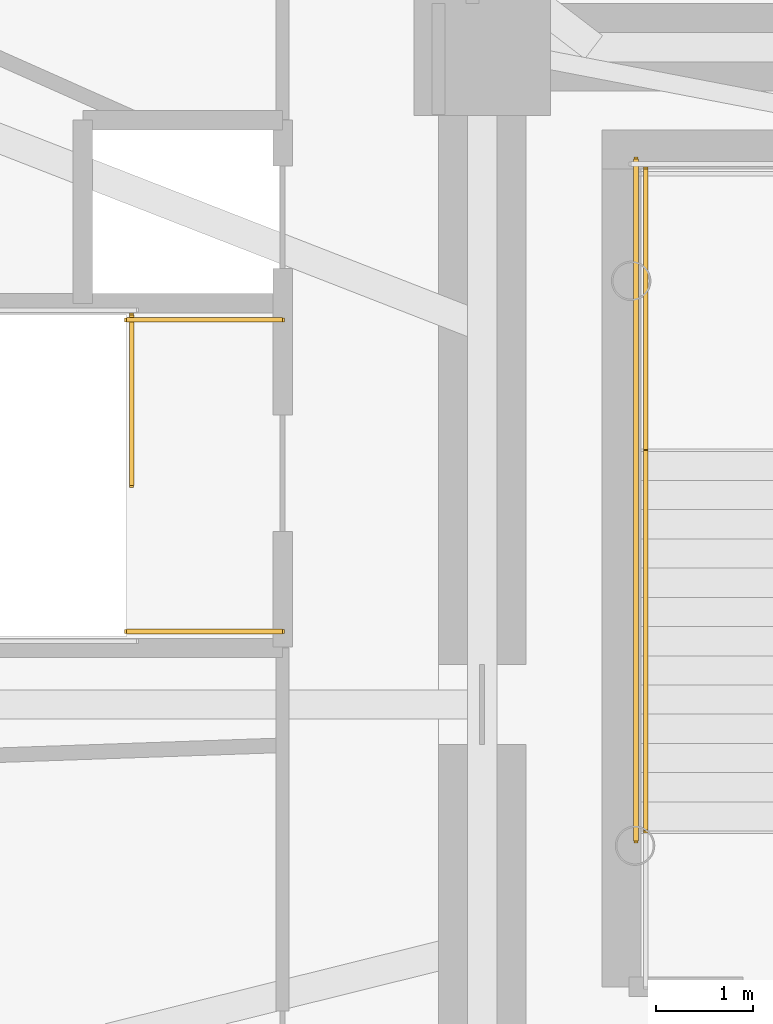
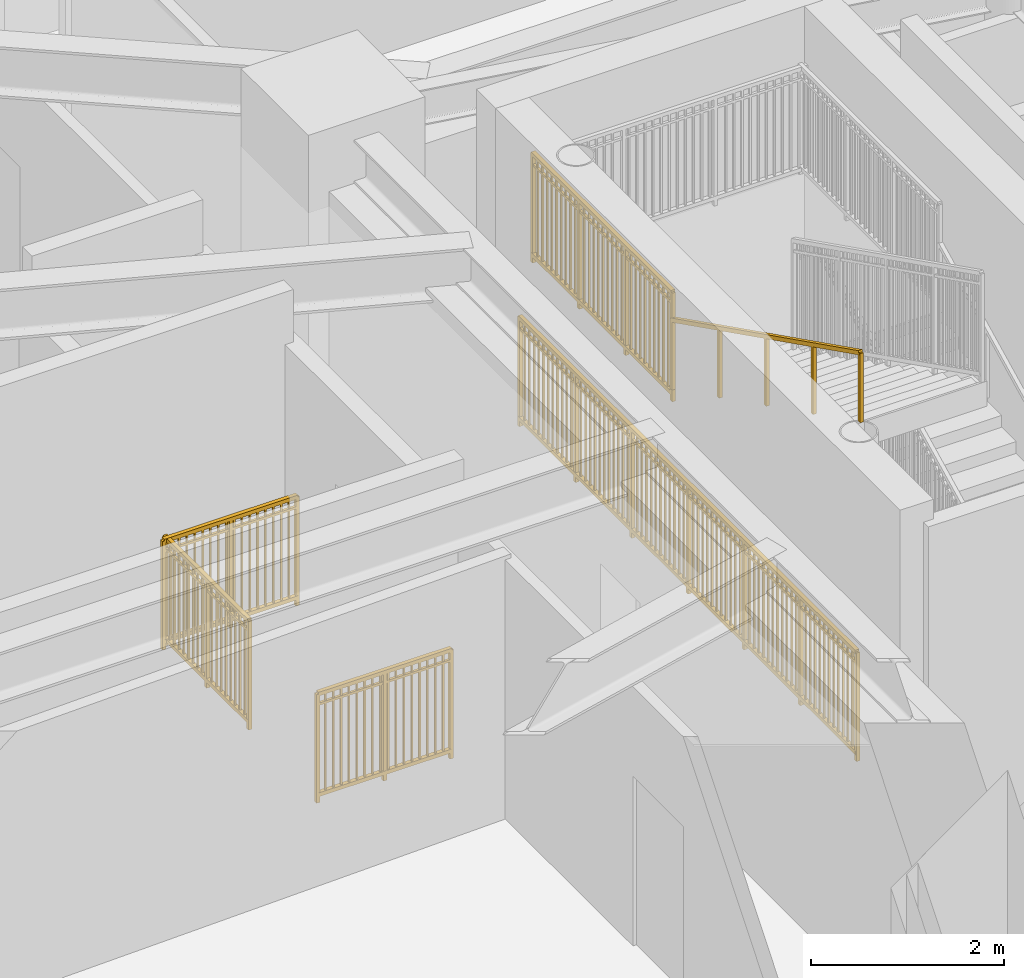
# One storey, part 22 of 28: 6 railings.
"""IFC4 building model written with IfcOpenShell, lengths in metres."""

from ifc_helpers import new_model, si_unit, direction, frame, origin, origin_2d, place, context, subcontext, project, spatial, rectangle, extrude, source, transform, mapped, material, type_object, element, save


model = new_model("IFC4")

# Units and contexts
model_context = context("Model", 3, precision=1e-05, world=origin(), true_north=direction((0.0, 1.0)))
body_context = subcontext(model_context, "Body", "Model", "MODEL_VIEW")
ifc_project = project(units=[si_unit("LENGTHUNIT", "METRE"), si_unit("AREAUNIT", "SQUARE_METRE"), si_unit("VOLUMEUNIT", "CUBIC_METRE"), si_unit("PLANEANGLEUNIT", "RADIAN"), si_unit("MASSUNIT", "GRAM", prefix="KILO")], contexts=[model_context])

# Site, building, storey
site_placement = place(None, origin())
site = spatial("IfcSite", under=ifc_project, at=site_placement, CompositionType="ELEMENT")
building_placement = place(site_placement, origin())
building = spatial("IfcBuilding", under=site, at=building_placement, Name="Linh Dai School and Residence Tower", CompositionType="ELEMENT")
storey_placement = place(building_placement, frame((0.0, 0.0, 57.60009765625)))
storey = spatial("IfcBuildingStorey", under=building, at=storey_placement, Name="L13", CompositionType="ELEMENT", Elevation=57.60009765625)

# Railings
ifc_material_1 = material(Name="Structural Steel S355JR", Category="steel")
railing_type_1 = type_object("IfcRailingType", Name="RL-ST-GUARD-1400", PredefinedType="GUARDRAIL", material=ifc_material_1)
shared_shape_1 = source(origin(), body_context, "Body", "SweptSolid", [
    extrude(rectangle(XDim=0.048095703125, YDim=0.048095703125, at=origin_2d()), frame((0.0, 0.0, 1.3759765625), z_axis=(0.0, 1.0, 0.0), x_axis=(-1.0, 0.0, 0.0)), (0.0, 0.0, 1.0), 7.0),
    extrude(rectangle(XDim=0.048095703125, YDim=0.048095703125, at=origin_2d()), frame((0.0, 0.0, 0.10009765625), z_axis=(0.0, 1.0, 0.0), x_axis=(-1.0, 0.0, 0.0)), (0.0, 0.0, 1.0), 7.0),
    extrude(rectangle(XDim=0.030029296875, YDim=0.030029296875, at=origin_2d()), frame((0.0, 0.0, 1.239990234375), z_axis=(0.0, 1.0, 0.0), x_axis=(-1.0, 0.0, 0.0)), (0.0, 0.0, 1.0), 7.0),
    extrude(rectangle(XDim=0.02001953125, YDim=0.02001953125, at=origin_2d()), frame((0.0, 0.09716796875, 0.10009765625)), (0.0, 0.0, 1.0), 1.251708984375),
    extrude(rectangle(XDim=0.02001953125, YDim=0.02001953125, at=origin_2d()), frame((0.0, 0.1943359375, 0.10009765625)), (0.0, 0.0, 1.0), 1.251708984375),
    extrude(rectangle(XDim=0.02001953125, YDim=0.02001953125, at=origin_2d()), frame((0.0, 0.291748046875, 0.10009765625)), (0.0, 0.0, 1.0), 1.251708984375),
    extrude(rectangle(XDim=0.02001953125, YDim=0.02001953125, at=origin_2d()), frame((0.0, 0.388916015625, 0.10009765625)), (0.0, 0.0, 1.0), 1.251708984375),
    extrude(rectangle(XDim=0.02001953125, YDim=0.02001953125, at=origin_2d()), frame((0.0, 0.486083984375, 0.10009765625)), (0.0, 0.0, 1.0), 1.251708984375),
    extrude(rectangle(XDim=0.02001953125, YDim=0.02001953125, at=origin_2d()), frame((0.0, 0.583251953125, 0.10009765625)), (0.0, 0.0, 1.0), 1.251708984375),
    extrude(rectangle(XDim=0.02001953125, YDim=0.02001953125, at=origin_2d()), frame((0.0, 0.6806640625, 0.10009765625)), (0.0, 0.0, 1.0), 1.251708984375),
    extrude(rectangle(XDim=0.02001953125, YDim=0.02001953125, at=origin_2d()), frame((0.0, 0.77783203125, 0.10009765625)), (0.0, 0.0, 1.0), 1.251708984375),
    extrude(rectangle(XDim=0.02001953125, YDim=0.02001953125, at=origin_2d()), frame((0.0, 0.875, 0.10009765625)), (0.0, 0.0, 1.0), 1.251708984375),
    extrude(rectangle(XDim=0.02001953125, YDim=0.02001953125, at=origin_2d()), frame((0.0, 0.97216796875, 0.10009765625)), (0.0, 0.0, 1.0), 1.251708984375),
    extrude(rectangle(XDim=0.02001953125, YDim=0.02001953125, at=origin_2d()), frame((0.0, 1.0693359375, 0.10009765625)), (0.0, 0.0, 1.0), 1.251708984375),
    extrude(rectangle(XDim=0.02001953125, YDim=0.02001953125, at=origin_2d()), frame((0.0, 1.263916015625, 0.10009765625)), (0.0, 0.0, 1.0), 1.251708984375),
    extrude(rectangle(XDim=0.02001953125, YDim=0.02001953125, at=origin_2d()), frame((0.0, 1.361083984375, 0.10009765625)), (0.0, 0.0, 1.0), 1.251708984375),
    extrude(rectangle(XDim=0.02001953125, YDim=0.02001953125, at=origin_2d()), frame((0.0, 1.458251953125, 0.10009765625)), (0.0, 0.0, 1.0), 1.251708984375),
    extrude(rectangle(XDim=0.02001953125, YDim=0.02001953125, at=origin_2d()), frame((0.0, 1.5556640625, 0.10009765625)), (0.0, 0.0, 1.0), 1.251708984375),
    extrude(rectangle(XDim=0.02001953125, YDim=0.02001953125, at=origin_2d()), frame((0.0, 1.65283203125, 0.10009765625)), (0.0, 0.0, 1.0), 1.251708984375),
    extrude(rectangle(XDim=0.02001953125, YDim=0.02001953125, at=origin_2d()), frame((0.0, 1.75, 0.10009765625)), (0.0, 0.0, 1.0), 1.251708984375),
    extrude(rectangle(XDim=0.02001953125, YDim=0.02001953125, at=origin_2d()), frame((0.0, 1.84716796875, 0.10009765625)), (0.0, 0.0, 1.0), 1.251708984375),
    extrude(rectangle(XDim=0.02001953125, YDim=0.02001953125, at=origin_2d()), frame((0.0, 1.9443359375, 0.10009765625)), (0.0, 0.0, 1.0), 1.251708984375),
    extrude(rectangle(XDim=0.02001953125, YDim=0.02001953125, at=origin_2d()), frame((0.0, 2.041748046875, 0.10009765625)), (0.0, 0.0, 1.0), 1.251708984375),
    extrude(rectangle(XDim=0.02001953125, YDim=0.02001953125, at=origin_2d()), frame((0.0, 2.138916015625, 0.10009765625)), (0.0, 0.0, 1.0), 1.251708984375),
    extrude(rectangle(XDim=0.02001953125, YDim=0.02001953125, at=origin_2d()), frame((0.0, 2.236083984375, 0.10009765625)), (0.0, 0.0, 1.0), 1.251708984375),
    extrude(rectangle(XDim=0.02001953125, YDim=0.02001953125, at=origin_2d()), frame((0.0, 2.4306640625, 0.10009765625)), (0.0, 0.0, 1.0), 1.251708984375),
    extrude(rectangle(XDim=0.02001953125, YDim=0.02001953125, at=origin_2d()), frame((0.0, 2.52783203125, 0.10009765625)), (0.0, 0.0, 1.0), 1.251708984375),
    extrude(rectangle(XDim=0.02001953125, YDim=0.02001953125, at=origin_2d()), frame((0.0, 2.625, 0.10009765625)), (0.0, 0.0, 1.0), 1.251708984375),
    extrude(rectangle(XDim=0.02001953125, YDim=0.02001953125, at=origin_2d()), frame((0.0, 2.72216796875, 0.10009765625)), (0.0, 0.0, 1.0), 1.251708984375),
    extrude(rectangle(XDim=0.02001953125, YDim=0.02001953125, at=origin_2d()), frame((0.0, 2.8193359375, 0.10009765625)), (0.0, 0.0, 1.0), 1.251708984375),
    extrude(rectangle(XDim=0.02001953125, YDim=0.02001953125, at=origin_2d()), frame((0.0, 2.916748046875, 0.10009765625)), (0.0, 0.0, 1.0), 1.251708984375),
    extrude(rectangle(XDim=0.02001953125, YDim=0.02001953125, at=origin_2d()), frame((0.0, 3.013916015625, 0.10009765625)), (0.0, 0.0, 1.0), 1.251708984375),
    extrude(rectangle(XDim=0.02001953125, YDim=0.02001953125, at=origin_2d()), frame((0.0, 3.111083984375, 0.10009765625)), (0.0, 0.0, 1.0), 1.251708984375),
    extrude(rectangle(XDim=0.02001953125, YDim=0.02001953125, at=origin_2d()), frame((0.0, 3.208251953125, 0.10009765625)), (0.0, 0.0, 1.0), 1.251708984375),
    extrude(rectangle(XDim=0.02001953125, YDim=0.02001953125, at=origin_2d()), frame((0.0, 3.3056640625, 0.10009765625)), (0.0, 0.0, 1.0), 1.251708984375),
    extrude(rectangle(XDim=0.02001953125, YDim=0.02001953125, at=origin_2d()), frame((0.0, 3.40283203125, 0.10009765625)), (0.0, 0.0, 1.0), 1.251708984375),
    extrude(rectangle(XDim=0.02001953125, YDim=0.02001953125, at=origin_2d()), frame((0.0, 3.59716796875, 0.10009765625)), (0.0, 0.0, 1.0), 1.251708984375),
    extrude(rectangle(XDim=0.02001953125, YDim=0.02001953125, at=origin_2d()), frame((0.0, 3.6943359375, 0.10009765625)), (0.0, 0.0, 1.0), 1.251708984375),
    extrude(rectangle(XDim=0.02001953125, YDim=0.02001953125, at=origin_2d()), frame((0.0, 3.791748046875, 0.10009765625)), (0.0, 0.0, 1.0), 1.251708984375),
    extrude(rectangle(XDim=0.02001953125, YDim=0.02001953125, at=origin_2d()), frame((0.0, 3.888916015625, 0.10009765625)), (0.0, 0.0, 1.0), 1.251708984375),
    extrude(rectangle(XDim=0.02001953125, YDim=0.02001953125, at=origin_2d()), frame((0.0, 3.986083984375, 0.10009765625)), (0.0, 0.0, 1.0), 1.251708984375),
    extrude(rectangle(XDim=0.02001953125, YDim=0.02001953125, at=origin_2d()), frame((0.0, 4.083251953125, 0.10009765625)), (0.0, 0.0, 1.0), 1.251708984375),
    extrude(rectangle(XDim=0.02001953125, YDim=0.02001953125, at=origin_2d()), frame((0.0, 4.1806640625, 0.10009765625)), (0.0, 0.0, 1.0), 1.251708984375),
    extrude(rectangle(XDim=0.02001953125, YDim=0.02001953125, at=origin_2d()), frame((0.0, 4.27783203125, 0.10009765625)), (0.0, 0.0, 1.0), 1.251708984375),
    extrude(rectangle(XDim=0.02001953125, YDim=0.02001953125, at=origin_2d()), frame((0.0, 4.375, 0.10009765625)), (0.0, 0.0, 1.0), 1.251708984375),
    extrude(rectangle(XDim=0.02001953125, YDim=0.02001953125, at=origin_2d()), frame((0.0, 4.47216796875, 0.10009765625)), (0.0, 0.0, 1.0), 1.251708984375),
    extrude(rectangle(XDim=0.02001953125, YDim=0.02001953125, at=origin_2d()), frame((0.0, 4.5693359375, 0.10009765625)), (0.0, 0.0, 1.0), 1.251708984375),
    extrude(rectangle(XDim=0.02001953125, YDim=0.02001953125, at=origin_2d()), frame((0.0, 4.763916015625, 0.10009765625)), (0.0, 0.0, 1.0), 1.251708984375),
    extrude(rectangle(XDim=0.02001953125, YDim=0.02001953125, at=origin_2d()), frame((0.0, 4.861083984375, 0.10009765625)), (0.0, 0.0, 1.0), 1.251708984375),
    extrude(rectangle(XDim=0.02001953125, YDim=0.02001953125, at=origin_2d()), frame((0.0, 4.958251953125, 0.10009765625)), (0.0, 0.0, 1.0), 1.251708984375),
    extrude(rectangle(XDim=0.02001953125, YDim=0.02001953125, at=origin_2d()), frame((0.0, 5.0556640625, 0.10009765625)), (0.0, 0.0, 1.0), 1.251708984375),
    extrude(rectangle(XDim=0.02001953125, YDim=0.02001953125, at=origin_2d()), frame((0.0, 5.15283203125, 0.10009765625)), (0.0, 0.0, 1.0), 1.251708984375),
    extrude(rectangle(XDim=0.02001953125, YDim=0.02001953125, at=origin_2d()), frame((0.0, 5.25, 0.10009765625)), (0.0, 0.0, 1.0), 1.251708984375),
    extrude(rectangle(XDim=0.02001953125, YDim=0.02001953125, at=origin_2d()), frame((0.0, 5.34716796875, 0.10009765625)), (0.0, 0.0, 1.0), 1.251708984375),
    extrude(rectangle(XDim=0.02001953125, YDim=0.02001953125, at=origin_2d()), frame((0.0, 5.4443359375, 0.10009765625)), (0.0, 0.0, 1.0), 1.251708984375),
    extrude(rectangle(XDim=0.02001953125, YDim=0.02001953125, at=origin_2d()), frame((0.0, 5.541748046875, 0.10009765625)), (0.0, 0.0, 1.0), 1.251708984375),
    extrude(rectangle(XDim=0.02001953125, YDim=0.02001953125, at=origin_2d()), frame((0.0, 5.638916015625, 0.10009765625)), (0.0, 0.0, 1.0), 1.251708984375),
    extrude(rectangle(XDim=0.02001953125, YDim=0.02001953125, at=origin_2d()), frame((0.0, 5.736083984375, 0.10009765625)), (0.0, 0.0, 1.0), 1.251708984375),
    extrude(rectangle(XDim=0.02001953125, YDim=0.02001953125, at=origin_2d()), frame((0.0, 5.9306640625, 0.10009765625)), (0.0, 0.0, 1.0), 1.251708984375),
    extrude(rectangle(XDim=0.02001953125, YDim=0.02001953125, at=origin_2d()), frame((0.0, 6.02783203125, 0.10009765625)), (0.0, 0.0, 1.0), 1.251708984375),
    extrude(rectangle(XDim=0.02001953125, YDim=0.02001953125, at=origin_2d()), frame((0.0, 6.125, 0.10009765625)), (0.0, 0.0, 1.0), 1.251708984375),
    extrude(rectangle(XDim=0.02001953125, YDim=0.02001953125, at=origin_2d()), frame((0.0, 6.22216796875, 0.10009765625)), (0.0, 0.0, 1.0), 1.251708984375),
    extrude(rectangle(XDim=0.02001953125, YDim=0.02001953125, at=origin_2d()), frame((0.0, 6.3193359375, 0.10009765625)), (0.0, 0.0, 1.0), 1.251708984375),
    extrude(rectangle(XDim=0.02001953125, YDim=0.02001953125, at=origin_2d()), frame((0.0, 6.416748046875, 0.10009765625)), (0.0, 0.0, 1.0), 1.251708984375),
    extrude(rectangle(XDim=0.02001953125, YDim=0.02001953125, at=origin_2d()), frame((0.0, 6.513916015625, 0.10009765625)), (0.0, 0.0, 1.0), 1.251708984375),
    extrude(rectangle(XDim=0.02001953125, YDim=0.02001953125, at=origin_2d()), frame((0.0, 6.611083984375, 0.10009765625)), (0.0, 0.0, 1.0), 1.251708984375),
    extrude(rectangle(XDim=0.02001953125, YDim=0.02001953125, at=origin_2d()), frame((0.0, 6.708251953125, 0.10009765625)), (0.0, 0.0, 1.0), 1.251708984375),
    extrude(rectangle(XDim=0.02001953125, YDim=0.02001953125, at=origin_2d()), frame((0.0, 6.8056640625, 0.10009765625)), (0.0, 0.0, 1.0), 1.251708984375),
    extrude(rectangle(XDim=0.02001953125, YDim=0.02001953125, at=origin_2d()), frame((0.0, 6.90283203125, 0.10009765625)), (0.0, 0.0, 1.0), 1.251708984375),
    extrude(rectangle(XDim=0.0419921875, YDim=0.0419921875, at=origin_2d()), origin(), (0.0, 0.0, 1.0), 1.3759765625),
    extrude(rectangle(XDim=0.0419921875, YDim=0.0419921875, at=origin_2d()), frame((0.0, 1.166748046875, 0.0)), (0.0, 0.0, 1.0), 1.3759765625),
    extrude(rectangle(XDim=0.0419921875, YDim=0.0419921875, at=origin_2d()), frame((0.0, 2.333251953125, 0.0)), (0.0, 0.0, 1.0), 1.3759765625),
    extrude(rectangle(XDim=0.0419921875, YDim=0.0419921875, at=origin_2d()), frame((0.0, 3.5, 0.0)), (0.0, 0.0, 1.0), 1.3759765625),
    extrude(rectangle(XDim=0.0419921875, YDim=0.0419921875, at=origin_2d()), frame((0.0, 4.666748046875, 0.0)), (0.0, 0.0, 1.0), 1.3759765625),
    extrude(rectangle(XDim=0.0419921875, YDim=0.0419921875, at=origin_2d()), frame((0.0, 5.833251953125, 0.0)), (0.0, 0.0, 1.0), 1.3759765625),
    extrude(rectangle(XDim=0.0419921875, YDim=0.0419921875, at=origin_2d()), frame((0.0, 7.0, 0.0)), (0.0, 0.0, 1.0), 1.3759765625),
])
railing_1_placement = place(storey_placement, frame((27.6298828125, 25.60009765625, 0.0)))
element("IfcRailing", 1, at=railing_1_placement, inside=storey, type_object=railing_type_1, Name="L13 ST1 stair guard 11", PredefinedType="GUARDRAIL", context=body_context, shape_type="MappedRepresentation", body=[
    mapped(shared_shape_1, transform((0.0, 0.0, 0.0), x_axis=(1.0, 0.0, 0.0), y_axis=(0.0, 1.0, 0.0), z_axis=(0.0, 0.0, 1.0), scale=1.0)),
])
shared_shape_2 = source(origin(), body_context, "Body", "SweptSolid", [
    extrude(rectangle(XDim=0.048095703125, YDim=0.048095703125, at=origin_2d()), frame((0.0, 0.0, 1.3759765625), z_axis=(0.0, 1.0, 0.0), x_axis=(-1.0, 0.0, 0.0)), (0.0, 0.0, 1.0), 2.89990234375),
    extrude(rectangle(XDim=0.048095703125, YDim=0.048095703125, at=origin_2d()), frame((0.0, 0.0, 0.10009765625), z_axis=(0.0, 1.0, 0.0), x_axis=(-1.0, 0.0, 0.0)), (0.0, 0.0, 1.0), 2.89990234375),
    extrude(rectangle(XDim=0.030029296875, YDim=0.030029296875, at=origin_2d()), frame((0.0, 0.0, 1.239990234375), z_axis=(0.0, 1.0, 0.0), x_axis=(-1.0, 0.0, 0.0)), (0.0, 0.0, 1.0), 2.89990234375),
    extrude(rectangle(XDim=0.02001953125, YDim=0.02001953125, at=origin_2d()), frame((0.0, 0.0966796875, 0.10009765625)), (0.0, 0.0, 1.0), 1.251708984375),
    extrude(rectangle(XDim=0.02001953125, YDim=0.02001953125, at=origin_2d()), frame((0.0, 0.193359375, 0.10009765625)), (0.0, 0.0, 1.0), 1.251708984375),
    extrude(rectangle(XDim=0.02001953125, YDim=0.02001953125, at=origin_2d()), frame((0.0, 0.2900390625, 0.10009765625)), (0.0, 0.0, 1.0), 1.251708984375),
    extrude(rectangle(XDim=0.02001953125, YDim=0.02001953125, at=origin_2d()), frame((0.0, 0.38671875, 0.10009765625)), (0.0, 0.0, 1.0), 1.251708984375),
    extrude(rectangle(XDim=0.02001953125, YDim=0.02001953125, at=origin_2d()), frame((0.0, 0.4833984375, 0.10009765625)), (0.0, 0.0, 1.0), 1.251708984375),
    extrude(rectangle(XDim=0.02001953125, YDim=0.02001953125, at=origin_2d()), frame((0.0, 0.580078125, 0.10009765625)), (0.0, 0.0, 1.0), 1.251708984375),
    extrude(rectangle(XDim=0.02001953125, YDim=0.02001953125, at=origin_2d()), frame((0.0, 0.6767578125, 0.10009765625)), (0.0, 0.0, 1.0), 1.251708984375),
    extrude(rectangle(XDim=0.02001953125, YDim=0.02001953125, at=origin_2d()), frame((0.0, 0.773193359375, 0.10009765625)), (0.0, 0.0, 1.0), 1.251708984375),
    extrude(rectangle(XDim=0.02001953125, YDim=0.02001953125, at=origin_2d()), frame((0.0, 0.869873046875, 0.10009765625)), (0.0, 0.0, 1.0), 1.251708984375),
    extrude(rectangle(XDim=0.02001953125, YDim=0.02001953125, at=origin_2d()), frame((0.0, 1.063232421875, 0.10009765625)), (0.0, 0.0, 1.0), 1.251708984375),
    extrude(rectangle(XDim=0.02001953125, YDim=0.02001953125, at=origin_2d()), frame((0.0, 1.159912109375, 0.10009765625)), (0.0, 0.0, 1.0), 1.251708984375),
    extrude(rectangle(XDim=0.02001953125, YDim=0.02001953125, at=origin_2d()), frame((0.0, 1.256591796875, 0.10009765625)), (0.0, 0.0, 1.0), 1.251708984375),
    extrude(rectangle(XDim=0.02001953125, YDim=0.02001953125, at=origin_2d()), frame((0.0, 1.353271484375, 0.10009765625)), (0.0, 0.0, 1.0), 1.251708984375),
    extrude(rectangle(XDim=0.02001953125, YDim=0.02001953125, at=origin_2d()), frame((0.0, 1.449951171875, 0.10009765625)), (0.0, 0.0, 1.0), 1.251708984375),
    extrude(rectangle(XDim=0.02001953125, YDim=0.02001953125, at=origin_2d()), frame((0.0, 1.546630859375, 0.10009765625)), (0.0, 0.0, 1.0), 1.251708984375),
    extrude(rectangle(XDim=0.02001953125, YDim=0.02001953125, at=origin_2d()), frame((0.0, 1.643310546875, 0.10009765625)), (0.0, 0.0, 1.0), 1.251708984375),
    extrude(rectangle(XDim=0.02001953125, YDim=0.02001953125, at=origin_2d()), frame((0.0, 1.739990234375, 0.10009765625)), (0.0, 0.0, 1.0), 1.251708984375),
    extrude(rectangle(XDim=0.02001953125, YDim=0.02001953125, at=origin_2d()), frame((0.0, 1.836669921875, 0.10009765625)), (0.0, 0.0, 1.0), 1.251708984375),
    extrude(rectangle(XDim=0.02001953125, YDim=0.02001953125, at=origin_2d()), frame((0.0, 2.030029296875, 0.10009765625)), (0.0, 0.0, 1.0), 1.251708984375),
    extrude(rectangle(XDim=0.02001953125, YDim=0.02001953125, at=origin_2d()), frame((0.0, 2.126708984375, 0.10009765625)), (0.0, 0.0, 1.0), 1.251708984375),
    extrude(rectangle(XDim=0.02001953125, YDim=0.02001953125, at=origin_2d()), frame((0.0, 2.22314453125, 0.10009765625)), (0.0, 0.0, 1.0), 1.251708984375),
    extrude(rectangle(XDim=0.02001953125, YDim=0.02001953125, at=origin_2d()), frame((0.0, 2.31982421875, 0.10009765625)), (0.0, 0.0, 1.0), 1.251708984375),
    extrude(rectangle(XDim=0.02001953125, YDim=0.02001953125, at=origin_2d()), frame((0.0, 2.41650390625, 0.10009765625)), (0.0, 0.0, 1.0), 1.251708984375),
    extrude(rectangle(XDim=0.02001953125, YDim=0.02001953125, at=origin_2d()), frame((0.0, 2.51318359375, 0.10009765625)), (0.0, 0.0, 1.0), 1.251708984375),
    extrude(rectangle(XDim=0.02001953125, YDim=0.02001953125, at=origin_2d()), frame((0.0, 2.60986328125, 0.10009765625)), (0.0, 0.0, 1.0), 1.251708984375),
    extrude(rectangle(XDim=0.02001953125, YDim=0.02001953125, at=origin_2d()), frame((0.0, 2.70654296875, 0.10009765625)), (0.0, 0.0, 1.0), 1.251708984375),
    extrude(rectangle(XDim=0.02001953125, YDim=0.02001953125, at=origin_2d()), frame((0.0, 2.80322265625, 0.10009765625)), (0.0, 0.0, 1.0), 1.251708984375),
    extrude(rectangle(XDim=0.0419921875, YDim=0.0419921875, at=origin_2d()), origin(), (0.0, 0.0, 1.0), 1.3759765625),
    extrude(rectangle(XDim=0.0419921875, YDim=0.0419921875, at=origin_2d()), frame((0.0, 0.966552734375, 0.0)), (0.0, 0.0, 1.0), 1.3759765625),
    extrude(rectangle(XDim=0.0419921875, YDim=0.0419921875, at=origin_2d()), frame((0.0, 1.933349609375, 0.0)), (0.0, 0.0, 1.0), 1.3759765625),
    extrude(rectangle(XDim=0.0419921875, YDim=0.0419921875, at=origin_2d()), frame((0.0, 2.89990234375, 0.0)), (0.0, 0.0, 1.0), 1.3759765625),
])
railing_2_placement = place(storey_placement, frame((27.72998046875, 29.60009765625, 2.099853515625)))
element("IfcRailing", 2, at=railing_2_placement, inside=storey, type_object=railing_type_1, Name="L13 ST1 stair guard 4", PredefinedType="GUARDRAIL", context=body_context, shape_type="MappedRepresentation", body=[
    mapped(shared_shape_2, transform((0.0, 0.0, 0.0), x_axis=(1.0, 0.0, 0.0), y_axis=(0.0, 1.0, 0.0), z_axis=(0.0, 0.0, 1.0), scale=1.0)),
])
ifc_material_2 = material(Name="Brushed Stainless Steel Handrail", Category="steel")
railing_type_2 = type_object("IfcRailingType", Name="RL-ST-HANDRAIL-900", PredefinedType="HANDRAIL", material=ifc_material_2)
shared_shape_3 = source(origin(), body_context, "Body", "SweptSolid", [
    extrude(rectangle(XDim=0.048095703125, YDim=0.048095703125, at=origin_2d()), frame((0.0, 0.0, 0.8759765625), z_axis=(0.0, -0.894438388696, 0.447191199406), x_axis=(1.0, 0.0, 0.0)), (0.0, 0.0, 1.0), 4.3603515625),
    extrude(rectangle(XDim=0.0419921875, YDim=0.0419921875, at=origin_2d()), origin(), (0.0, 0.0, 1.0), 0.8759765625),
    extrude(rectangle(XDim=0.0419921875, YDim=0.0419921875, at=origin_2d()), frame((0.0, -0.97509765625, 0.487548828125)), (0.0, 0.0, 1.0), 0.8759765625),
    extrude(rectangle(XDim=0.0419921875, YDim=0.0419921875, at=origin_2d()), frame((0.0, -1.9501953125, 0.97509765625)), (0.0, 0.0, 1.0), 0.8759765625),
    extrude(rectangle(XDim=0.0419921875, YDim=0.0419921875, at=origin_2d()), frame((0.0, -2.925048828125, 1.46240234375)), (0.0, 0.0, 1.0), 0.8759765625),
    extrude(rectangle(XDim=0.0419921875, YDim=0.0419921875, at=origin_2d()), frame((0.0, -3.900146484375, 1.949951171875)), (0.0, 0.0, 1.0), 0.8759765625),
])
railing_3_placement = place(storey_placement, frame((27.72998046875, 29.60009765625, 2.25)))
element("IfcRailing", 3, at=railing_3_placement, inside=storey, type_object=railing_type_2, Name="L13 ST1 stair handrail 2", PredefinedType="HANDRAIL", context=body_context, shape_type="MappedRepresentation", body=[
    mapped(shared_shape_3, transform((0.0, 0.0, 0.0), x_axis=(1.0, 0.0, 0.0), y_axis=(0.0, 1.0, 0.0), z_axis=(0.0, 0.0, 1.0), scale=1.0)),
])
shared_shape_4 = source(origin(), body_context, "Body", "SweptSolid", [
    extrude(rectangle(XDim=0.048095703125, YDim=0.048095703125, at=origin_2d()), frame((0.0, 0.0, 1.3759765625), z_axis=(-1.0, 0.0, 0.0), x_axis=(0.0, -1.0, 0.0)), (0.0, 0.0, 1.0), 1.60009765625),
    extrude(rectangle(XDim=0.048095703125, YDim=0.048095703125, at=origin_2d()), frame((0.0, 0.0, 0.10009765625), z_axis=(-1.0, 0.0, 0.0), x_axis=(0.0, -1.0, 0.0)), (0.0, 0.0, 1.0), 1.60009765625),
    extrude(rectangle(XDim=0.030029296875, YDim=0.030029296875, at=origin_2d()), frame((0.0, 0.0, 1.239990234375), z_axis=(-1.0, 0.0, 0.0), x_axis=(0.0, -1.0, 0.0)), (0.0, 0.0, 1.0), 1.60009765625),
    extrude(rectangle(XDim=0.02001953125, YDim=0.02001953125, at=origin_2d()), frame((-0.09423828125, 0.0, 0.10009765625)), (0.0, 0.0, 1.0), 1.251708984375),
    extrude(rectangle(XDim=0.02001953125, YDim=0.02001953125, at=origin_2d()), frame((-0.188232421875, 0.0, 0.10009765625)), (0.0, 0.0, 1.0), 1.251708984375),
    extrude(rectangle(XDim=0.02001953125, YDim=0.02001953125, at=origin_2d()), frame((-0.282470703125, 0.0, 0.10009765625)), (0.0, 0.0, 1.0), 1.251708984375),
    extrude(rectangle(XDim=0.02001953125, YDim=0.02001953125, at=origin_2d()), frame((-0.37646484375, 0.0, 0.10009765625)), (0.0, 0.0, 1.0), 1.251708984375),
    extrude(rectangle(XDim=0.02001953125, YDim=0.02001953125, at=origin_2d()), frame((-0.470703125, 0.0, 0.10009765625)), (0.0, 0.0, 1.0), 1.251708984375),
    extrude(rectangle(XDim=0.02001953125, YDim=0.02001953125, at=origin_2d()), frame((-0.564697265625, 0.0, 0.10009765625)), (0.0, 0.0, 1.0), 1.251708984375),
    extrude(rectangle(XDim=0.02001953125, YDim=0.02001953125, at=origin_2d()), frame((-0.658935546875, 0.0, 0.10009765625)), (0.0, 0.0, 1.0), 1.251708984375),
    extrude(rectangle(XDim=0.02001953125, YDim=0.02001953125, at=origin_2d()), frame((-0.7529296875, 0.0, 0.10009765625)), (0.0, 0.0, 1.0), 1.251708984375),
    extrude(rectangle(XDim=0.02001953125, YDim=0.02001953125, at=origin_2d()), frame((-0.84716796875, 0.0, 0.10009765625)), (0.0, 0.0, 1.0), 1.251708984375),
    extrude(rectangle(XDim=0.02001953125, YDim=0.02001953125, at=origin_2d()), frame((-0.941162109375, 0.0, 0.10009765625)), (0.0, 0.0, 1.0), 1.251708984375),
    extrude(rectangle(XDim=0.02001953125, YDim=0.02001953125, at=origin_2d()), frame((-1.035400390625, 0.0, 0.10009765625)), (0.0, 0.0, 1.0), 1.251708984375),
    extrude(rectangle(XDim=0.02001953125, YDim=0.02001953125, at=origin_2d()), frame((-1.12939453125, 0.0, 0.10009765625)), (0.0, 0.0, 1.0), 1.251708984375),
    extrude(rectangle(XDim=0.02001953125, YDim=0.02001953125, at=origin_2d()), frame((-1.2236328125, 0.0, 0.10009765625)), (0.0, 0.0, 1.0), 1.251708984375),
    extrude(rectangle(XDim=0.02001953125, YDim=0.02001953125, at=origin_2d()), frame((-1.317626953125, 0.0, 0.10009765625)), (0.0, 0.0, 1.0), 1.251708984375),
    extrude(rectangle(XDim=0.02001953125, YDim=0.02001953125, at=origin_2d()), frame((-1.411865234375, 0.0, 0.10009765625)), (0.0, 0.0, 1.0), 1.251708984375),
    extrude(rectangle(XDim=0.02001953125, YDim=0.02001953125, at=origin_2d()), frame((-1.505859375, 0.0, 0.10009765625)), (0.0, 0.0, 1.0), 1.251708984375),
    extrude(rectangle(XDim=0.0419921875, YDim=0.0419921875, at=origin_2d()), origin(), (0.0, 0.0, 1.0), 1.3759765625),
    extrude(rectangle(XDim=0.0419921875, YDim=0.0419921875, at=origin_2d()), frame((-0.800048828125, 0.0, 0.0)), (0.0, 0.0, 1.0), 1.3759765625),
    extrude(rectangle(XDim=0.0419921875, YDim=0.0419921875, at=origin_2d()), frame((-1.60009765625, 0.0, 0.0)), (0.0, 0.0, 1.0), 1.3759765625),
])
for number, where, name in (
    (4, (24.0, 30.949951171875, 0.0), "L13 STS1 top well guard 5"),
    (5, (24.0, 27.75, 0.0), "L13 STS1 top well guard 6"),
):
    element("IfcRailing", number, at=place(storey_placement, frame(where)), inside=storey, type_object=railing_type_1, Name=name, PredefinedType="GUARDRAIL", context=body_context, shape_type="MappedRepresentation", body=[
        mapped(shared_shape_4, transform((0.0, 0.0, 0.0), x_axis=(1.0, 0.0, 0.0), y_axis=(0.0, 1.0, 0.0), z_axis=(0.0, 0.0, 1.0), scale=1.0)),
    ])
shared_shape_5 = source(origin(), body_context, "Body", "SweptSolid", [
    extrude(rectangle(XDim=0.048095703125, YDim=0.048095703125, at=origin_2d()), frame((0.0, 0.0, 1.3759765625), z_axis=(0.0, -1.0, 0.0), x_axis=(1.0, 0.0, 0.0)), (0.0, 0.0, 1.0), 1.75),
    extrude(rectangle(XDim=0.048095703125, YDim=0.048095703125, at=origin_2d()), frame((0.0, 0.0, 0.10009765625), z_axis=(0.0, -1.0, 0.0), x_axis=(1.0, 0.0, 0.0)), (0.0, 0.0, 1.0), 1.75),
    extrude(rectangle(XDim=0.030029296875, YDim=0.030029296875, at=origin_2d()), frame((0.0, 0.0, 1.239990234375), z_axis=(0.0, -1.0, 0.0), x_axis=(1.0, 0.0, 0.0)), (0.0, 0.0, 1.0), 1.75),
    extrude(rectangle(XDim=0.02001953125, YDim=0.02001953125, at=origin_2d()), frame((0.0, -0.09716796875, 0.10009765625)), (0.0, 0.0, 1.0), 1.251708984375),
    extrude(rectangle(XDim=0.02001953125, YDim=0.02001953125, at=origin_2d()), frame((0.0, -0.1943359375, 0.10009765625)), (0.0, 0.0, 1.0), 1.251708984375),
    extrude(rectangle(XDim=0.02001953125, YDim=0.02001953125, at=origin_2d()), frame((0.0, -0.291748046875, 0.10009765625)), (0.0, 0.0, 1.0), 1.251708984375),
    extrude(rectangle(XDim=0.02001953125, YDim=0.02001953125, at=origin_2d()), frame((0.0, -0.388916015625, 0.10009765625)), (0.0, 0.0, 1.0), 1.251708984375),
    extrude(rectangle(XDim=0.02001953125, YDim=0.02001953125, at=origin_2d()), frame((0.0, -0.486083984375, 0.10009765625)), (0.0, 0.0, 1.0), 1.251708984375),
    extrude(rectangle(XDim=0.02001953125, YDim=0.02001953125, at=origin_2d()), frame((0.0, -0.583251953125, 0.10009765625)), (0.0, 0.0, 1.0), 1.251708984375),
    extrude(rectangle(XDim=0.02001953125, YDim=0.02001953125, at=origin_2d()), frame((0.0, -0.6806640625, 0.10009765625)), (0.0, 0.0, 1.0), 1.251708984375),
    extrude(rectangle(XDim=0.02001953125, YDim=0.02001953125, at=origin_2d()), frame((0.0, -0.77783203125, 0.10009765625)), (0.0, 0.0, 1.0), 1.251708984375),
    extrude(rectangle(XDim=0.02001953125, YDim=0.02001953125, at=origin_2d()), frame((0.0, -0.97216796875, 0.10009765625)), (0.0, 0.0, 1.0), 1.251708984375),
    extrude(rectangle(XDim=0.02001953125, YDim=0.02001953125, at=origin_2d()), frame((0.0, -1.0693359375, 0.10009765625)), (0.0, 0.0, 1.0), 1.251708984375),
    extrude(rectangle(XDim=0.02001953125, YDim=0.02001953125, at=origin_2d()), frame((0.0, -1.166748046875, 0.10009765625)), (0.0, 0.0, 1.0), 1.251708984375),
    extrude(rectangle(XDim=0.02001953125, YDim=0.02001953125, at=origin_2d()), frame((0.0, -1.263916015625, 0.10009765625)), (0.0, 0.0, 1.0), 1.251708984375),
    extrude(rectangle(XDim=0.02001953125, YDim=0.02001953125, at=origin_2d()), frame((0.0, -1.361083984375, 0.10009765625)), (0.0, 0.0, 1.0), 1.251708984375),
    extrude(rectangle(XDim=0.02001953125, YDim=0.02001953125, at=origin_2d()), frame((0.0, -1.458251953125, 0.10009765625)), (0.0, 0.0, 1.0), 1.251708984375),
    extrude(rectangle(XDim=0.02001953125, YDim=0.02001953125, at=origin_2d()), frame((0.0, -1.5556640625, 0.10009765625)), (0.0, 0.0, 1.0), 1.251708984375),
    extrude(rectangle(XDim=0.02001953125, YDim=0.02001953125, at=origin_2d()), frame((0.0, -1.65283203125, 0.10009765625)), (0.0, 0.0, 1.0), 1.251708984375),
    extrude(rectangle(XDim=0.0419921875, YDim=0.0419921875, at=origin_2d()), origin(), (0.0, 0.0, 1.0), 1.3759765625),
    extrude(rectangle(XDim=0.0419921875, YDim=0.0419921875, at=origin_2d()), frame((0.0, -0.875, 0.0)), (0.0, 0.0, 1.0), 1.3759765625),
    extrude(rectangle(XDim=0.0419921875, YDim=0.0419921875, at=origin_2d()), frame((0.0, -1.75, 0.0)), (0.0, 0.0, 1.0), 1.3759765625),
])
railing_4_placement = place(storey_placement, frame((22.449951171875, 31.0, 0.0)))
element("IfcRailing", 6, at=railing_4_placement, inside=storey, type_object=railing_type_1, Name="L13 STS1 top well guard 1", PredefinedType="GUARDRAIL", context=body_context, shape_type="MappedRepresentation", body=[
    mapped(shared_shape_5, transform((0.0, 0.0, 0.0), x_axis=(1.0, 0.0, 0.0), y_axis=(0.0, 1.0, 0.0), z_axis=(0.0, 0.0, 1.0), scale=1.0)),
])

save(model, "model.ifc")
